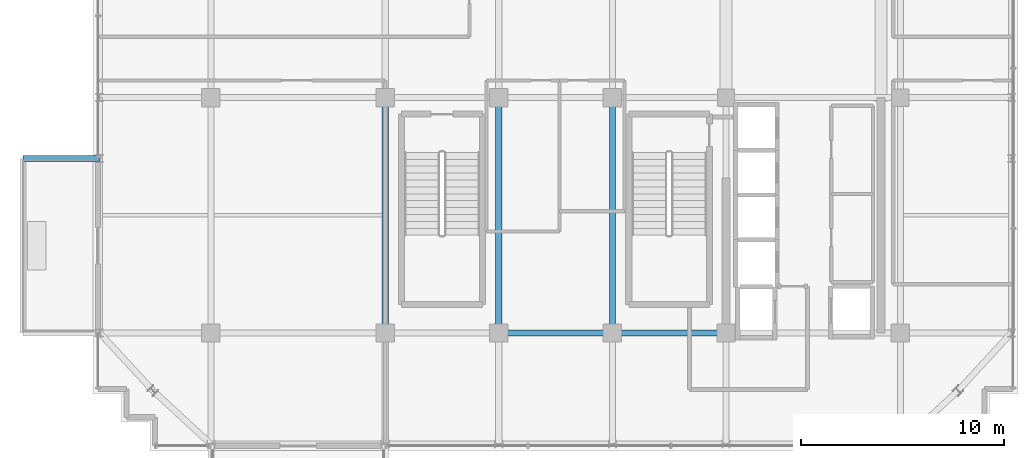
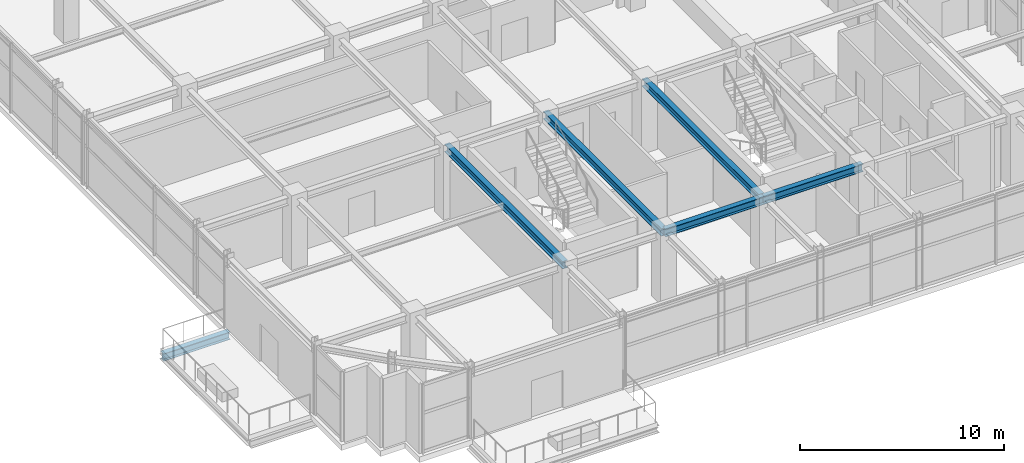
# One storey, part 7 of 25: 6 beams.
"""IFC4 building model written with IfcOpenShell, lengths in metres."""

from ifc_helpers import new_model, si_unit, direction, frame, origin, origin_2d, place, context, subcontext, project, spatial, i_section, extrude, source, transform, mapped, material, material_profile, profile_set, type_object, element, save


model = new_model("IFC4")

# Units and contexts
model_context = context("Model", 3, precision=1e-05, world=origin(), true_north=direction((0.0, 1.0)))
body_context = subcontext(model_context, "Body", "Model", "MODEL_VIEW")
ifc_project = project(units=[si_unit("LENGTHUNIT", "METRE"), si_unit("AREAUNIT", "SQUARE_METRE"), si_unit("VOLUMEUNIT", "CUBIC_METRE"), si_unit("PLANEANGLEUNIT", "RADIAN"), si_unit("MASSUNIT", "GRAM", prefix="KILO")], contexts=[model_context])

# Site, building, storey
site_placement = place(None, origin())
site = spatial("IfcSite", under=ifc_project, at=site_placement, CompositionType="ELEMENT")
building_placement = place(site_placement, origin())
building = spatial("IfcBuilding", under=site, at=building_placement, Name="Nahalor Promenade Grand Hotel", CompositionType="ELEMENT")
storey_placement = place(building_placement, frame((0.0, 0.0, 338.550048828125)))
storey = spatial("IfcBuildingStorey", under=building, at=storey_placement, Name="L87", CompositionType="ELEMENT", Elevation=338.550048828125)

# Beams
ifc_material = material(Name="Steel S355JR", Category="steel")
ifc_material_profile_1 = material_profile(ifc_material, i_section(OverallWidth=0.3, OverallDepth=0.45, WebThickness=0.014, FlangeThickness=0.026, at=origin_2d()), Name="HEB 450")
ifc_profile_set_1 = profile_set([ifc_material_profile_1], Name="Steel S355JR")
beam_type_1 = type_object("IfcBeamType", Name="Beam-Outrigger-HEB450", PredefinedType="BEAM", material=ifc_profile_set_1)
shared_shape_1 = source(origin(), body_context, "Body", "SweptSolid", [
    extrude(i_section(OverallWidth=0.3, OverallDepth=0.45, WebThickness=0.014, FlangeThickness=0.026, at=origin_2d()), origin(), (0.0, 0.0, 1.0), 3.780029296875),
])
beam_1_placement = place(storey_placement, frame((-26.260009765625, -8.39990234375, -0.505126953125), z_axis=(1.0, 0.0, 0.0), x_axis=(0.0, 1.0, 0.0)))
element("IfcBeam", 1, at=beam_1_placement, inside=storey, type_object=beam_type_1, Name="BM-L87-BC-02-2", PredefinedType="BEAM", context=body_context, shape_type="MappedRepresentation", body=[
    mapped(shared_shape_1, transform((0.0, 0.0, 0.0), scale=1.0)),
])
ifc_material_profile_2 = material_profile(ifc_material, i_section(OverallWidth=0.3, OverallDepth=0.45, WebThickness=0.014, FlangeThickness=0.026, at=origin_2d()), Name="HEB 450")
ifc_profile_set_2 = profile_set([ifc_material_profile_2], Name="Steel S355JR")
beam_type_2 = type_object("IfcBeamType", Name="Beam-Girder-HEB450", PredefinedType="BEAM", material=ifc_profile_set_2)
shared_shape_2 = source(origin(), body_context, "Body", "SweptSolid", [
    extrude(i_section(OverallWidth=0.3, OverallDepth=0.45, WebThickness=0.014, FlangeThickness=0.026, at=origin_2d()), origin(), (0.0, 0.0, 1.0), 5.599853515625),
])
beam_2_placement = place(storey_placement, frame((2.800048828125, -17.0, 3.945068359375), z_axis=(1.0, 0.0, 0.0), x_axis=(0.0, 1.0, 0.0)))
element("IfcBeam", 2, at=beam_2_placement, inside=storey, type_object=beam_type_2, Name="BM-L87-GX-0-4", PredefinedType="BEAM", context=body_context, shape_type="MappedRepresentation", body=[
    mapped(shared_shape_2, transform((0.0, 0.0, 0.0), scale=1.0)),
])
shared_shape_3 = source(origin(), body_context, "Body", "SweptSolid", [
    extrude(i_section(OverallWidth=0.3, OverallDepth=0.45, WebThickness=0.014, FlangeThickness=0.026, at=origin_2d()), origin(), (0.0, 0.0, 1.0), 5.60009765625),
])
beam_3_placement = place(storey_placement, frame((-2.800048828125, -17.0, 3.945068359375), z_axis=(1.0, 0.0, 0.0), x_axis=(0.0, 1.0, 0.0)))
element("IfcBeam", 3, at=beam_3_placement, inside=storey, type_object=beam_type_2, Name="BM-L87-GX-0-3", PredefinedType="BEAM", context=body_context, shape_type="MappedRepresentation", body=[
    mapped(shared_shape_3, transform((0.0, 0.0, 0.0), scale=1.0)),
])
shared_shape_4 = source(origin(), body_context, "Body", "SweptSolid", [
    extrude(i_section(OverallWidth=0.3, OverallDepth=0.45, WebThickness=0.014, FlangeThickness=0.026, at=origin_2d()), origin(), (0.0, 0.0, 1.0), 11.60009765625),
])
for number, where, z_axis, x_axis, name in (
    (4, (-8.39990234375, -17.0, 3.945068359375), (0.0, 1.0, 0.0), (-1.0, 0.0, 0.0), "BM-L87-GY-1-1"),
    (5, (-2.800048828125, -17.0, 3.945068359375), (0.0, 1.0, 0.0), (-1.0, 0.0, 0.0), "BM-L87-GY-2-1"),
    (6, (2.800048828125, -17.0, 3.945068359375), (0.0, 1.0, 0.0), (-1.0, 0.0, 0.0), "BM-L87-GY-3-1"),
):
    element("IfcBeam", number, at=place(storey_placement, frame(where, z_axis=z_axis, x_axis=x_axis)), inside=storey, type_object=beam_type_2, Name=name, PredefinedType="BEAM", context=body_context, shape_type="MappedRepresentation", body=[
        mapped(shared_shape_4, transform((0.0, 0.0, 0.0), scale=1.0)),
    ])

save(model, "model.ifc")
